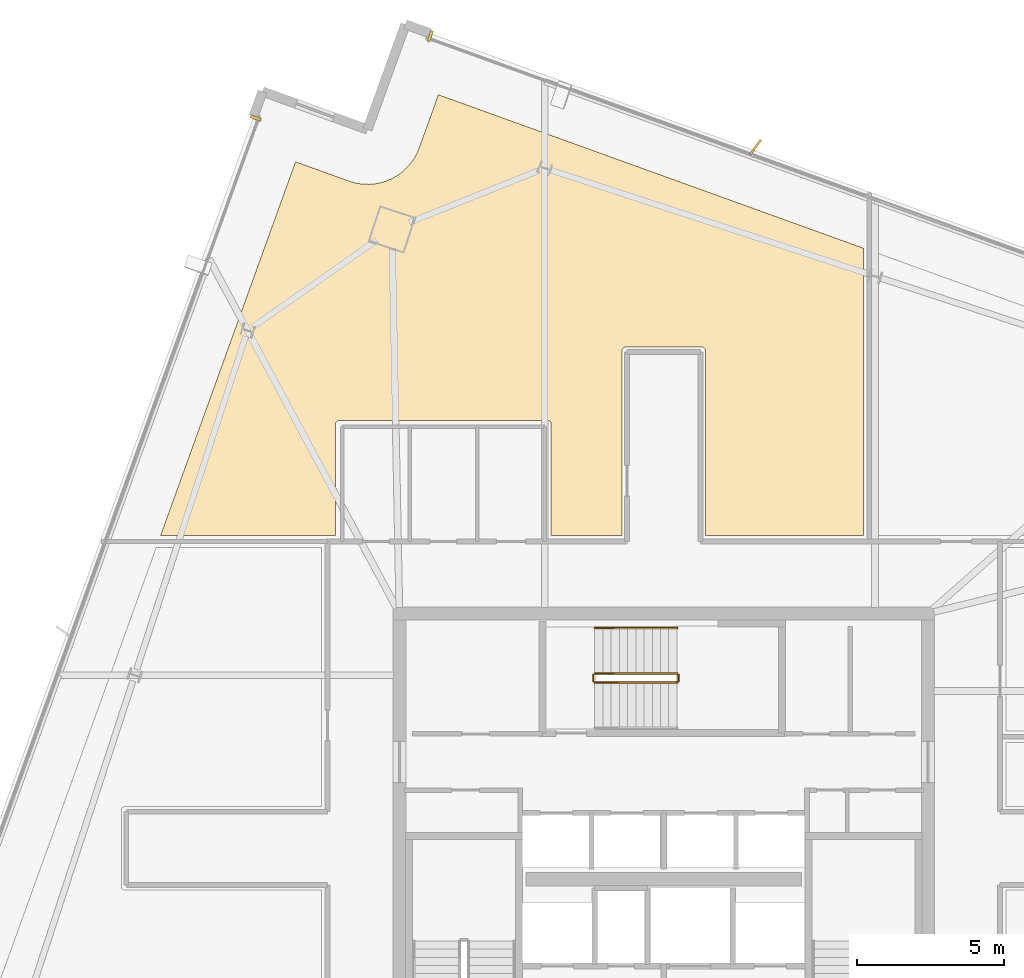
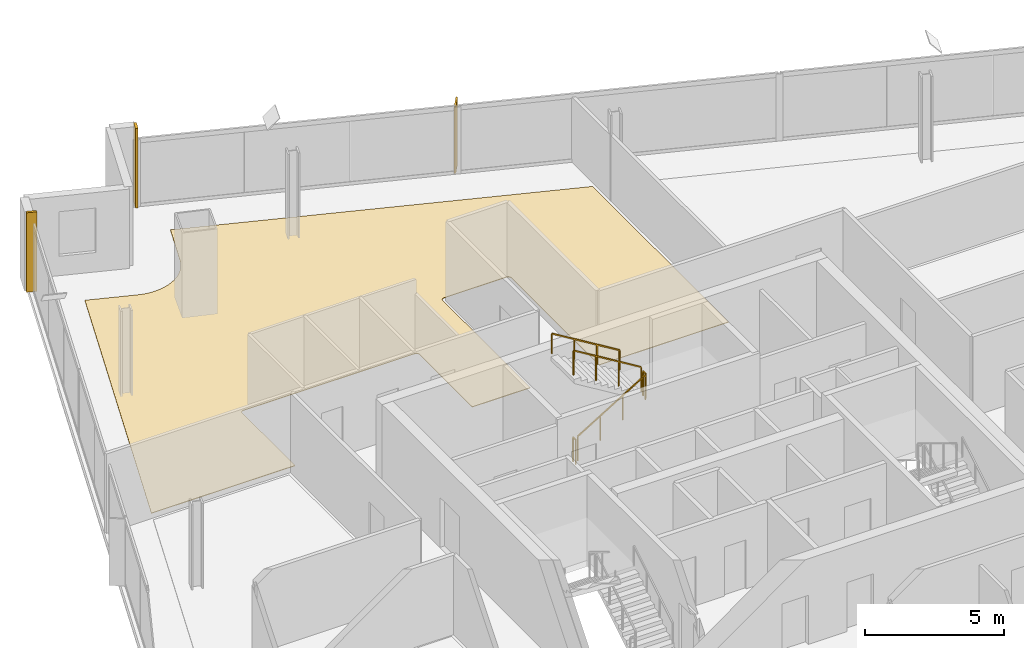
# One storey, part 26 of 27: 5 railings, 3 coverings, 1 shading device.
"""IFC4 building model written with IfcOpenShell, lengths in metres."""

from ifc_helpers import new_model, si_unit, direction, frame, origin, origin_2d, place, context, subcontext, project, spatial, polyline, rectangle, outline, extrude, source, transform, mapped, material, layer, layer_set, type_object, element, save


model = new_model("IFC4")

# Units and contexts
model_context = context("Model", 3, precision=1e-05, world=origin(), true_north=direction((0.0, 1.0)))
body_context = subcontext(model_context, "Body", "Model", "MODEL_VIEW")
ifc_project = project(units=[si_unit("LENGTHUNIT", "METRE"), si_unit("AREAUNIT", "SQUARE_METRE"), si_unit("VOLUMEUNIT", "CUBIC_METRE"), si_unit("PLANEANGLEUNIT", "RADIAN"), si_unit("MASSUNIT", "GRAM", prefix="KILO")], contexts=[model_context])

# Site, building, storey
site_placement = place(None, origin())
site = spatial("IfcSite", under=ifc_project, at=site_placement, CompositionType="ELEMENT")
building_placement = place(site_placement, origin())
building = spatial("IfcBuilding", under=site, at=building_placement, Name="Haldenkirk Collegiate Tower", CompositionType="ELEMENT")
storey_placement = place(building_placement, frame((0.0, 0.0, 263.699951171875)))
storey = spatial("IfcBuildingStorey", under=building, at=storey_placement, Name="L66", CompositionType="ELEMENT", Elevation=263.699951171875)

# Covering
ifc_material_1 = material(Name="Polished collegiate terrazzo", Category="concrete")
ifc_layer_1 = layer(ifc_material_1, 0.02490234375)
ifc_layer_set_1 = layer_set([ifc_layer_1], Name="Polished collegiate terrazzo")
covering_type_1 = type_object("IfcCoveringType", Name="COV-FLOOR-TERRAZZO", PredefinedType="FLOORING", material=ifc_layer_set_1)
covering_placement = place(storey_placement, origin())
element("IfcCovering", 1, at=covering_placement, inside=storey, type_object=covering_type_1, Name="L66 academic room finish 06", PredefinedType="FLOORING", context=body_context, shape_type="SweptSolid", body=[
    extrude(outline(polyline([(25.278076171875, 48.720703125), (25.28369140625, 48.718994140625), (25.44775390625, 48.668701171875), (25.458984375, 48.665771484375), (25.62744140625, 48.631591796875), (25.63916015625, 48.6298828125), (25.81005859375, 48.612548828125), (25.82177734375, 48.612060546875), (25.993408203125, 48.611572265625), (26.005126953125, 48.612060546875), (26.17626953125, 48.62841796875), (26.18798828125, 48.6298828125), (26.3564453125, 48.6630859375), (26.367919921875, 48.666015625), (26.5322265625, 48.71533203125), (26.54345703125, 48.71923828125), (26.7021484375, 48.784423828125), (26.712890625, 48.78955078125), (26.864501953125, 48.8701171875), (26.874755859375, 48.8759765625), (27.017822265625, 48.970947265625), (27.02734375, 48.97802734375), (27.160400390625, 49.086669921875), (27.1689453125, 49.094482421875), (27.290771484375, 49.215576171875), (27.298583984375, 49.224365234375), (27.407958984375, 49.356689453125), (27.4150390625, 49.3662109375), (27.510986328125, 49.508544921875), (27.51708984375, 49.518798828125), (27.598388671875, 49.670166015625), (27.603515625, 49.6806640625), (27.669677734375, 49.839111328125), (27.671875, 49.844482421875), (28.3271484375, 51.659912109375), (42.800048828125, 46.43505859375), (42.800048828125, 36.64990234375), (37.419921875, 36.64990234375), (37.419921875, 42.949951171875), (37.41943359375, 42.9619140625), (37.417724609375, 42.973388671875), (37.414794921875, 42.98486328125), (37.410888671875, 42.995849609375), (37.40576171875, 43.006591796875), (37.39990234375, 43.0166015625), (37.392822265625, 43.026123046875), (37.385009765625, 43.034912109375), (37.376220703125, 43.042724609375), (37.36669921875, 43.0498046875), (37.356689453125, 43.055908203125), (37.345947265625, 43.060791015625), (37.334716796875, 43.064697265625), (37.323486328125, 43.067626953125), (37.311767578125, 43.0693359375), (37.300048828125, 43.070068359375), (34.699951171875, 43.070068359375), (34.688232421875, 43.0693359375), (34.676513671875, 43.067626953125), (34.665283203125, 43.064697265625), (34.654052734375, 43.060791015625), (34.643310546875, 43.055908203125), (34.63330078125, 43.0498046875), (34.623779296875, 43.042724609375), (34.614990234375, 43.034912109375), (34.607177734375, 43.026123046875), (34.60009765625, 43.0166015625), (34.59423828125, 43.006591796875), (34.589111328125, 42.995849609375), (34.585205078125, 42.98486328125), (34.582275390625, 42.973388671875), (34.58056640625, 42.9619140625), (34.580078125, 42.949951171875), (34.580078125, 36.64990234375), (32.169921875, 36.64990234375), (32.169921875, 40.449951171875), (32.16943359375, 40.4619140625), (32.167724609375, 40.473388671875), (32.164794921875, 40.48486328125), (32.160888671875, 40.495849609375), (32.15576171875, 40.506591796875), (32.14990234375, 40.5166015625), (32.142822265625, 40.526123046875), (32.135009765625, 40.534912109375), (32.126220703125, 40.542724609375), (32.11669921875, 40.5498046875), (32.106689453125, 40.555908203125), (32.095947265625, 40.560791015625), (32.084716796875, 40.564697265625), (32.073486328125, 40.567626953125), (32.061767578125, 40.5693359375), (32.050048828125, 40.570068359375), (24.949951171875, 40.570068359375), (24.938232421875, 40.5693359375), (24.926513671875, 40.567626953125), (24.915283203125, 40.564697265625), (24.904052734375, 40.560791015625), (24.893310546875, 40.555908203125), (24.88330078125, 40.5498046875), (24.873779296875, 40.542724609375), (24.864990234375, 40.534912109375), (24.857177734375, 40.526123046875), (24.85009765625, 40.5166015625), (24.84423828125, 40.506591796875), (24.839111328125, 40.495849609375), (24.835205078125, 40.48486328125), (24.832275390625, 40.473388671875), (24.83056640625, 40.4619140625), (24.830078125, 40.449951171875), (24.830078125, 36.64990234375), (18.868408203125, 36.64990234375), (23.462646484375, 49.376220703125), (25.278076171875, 48.720703125)])), origin(), (0.0, 0.0, 1.0), 0.025146484375),
])

# Railings
ifc_material_2 = material(Name="Painted architectural tubular steel", Category="steel")
railing_type_1 = type_object("IfcRailingType", Name="RLG-STAIR-GUARD-1100", PredefinedType="BALUSTRADE", material=ifc_material_2)
railing_1_placement = place(storey_placement, frame((33.64990234375, 31.64990234375, 0.17041015625)))
element("IfcRailing", 2, at=railing_1_placement, inside=storey, type_object=railing_type_1, Name="L66 ST-3 stair guard 1", PredefinedType="BALUSTRADE", context=body_context, shape_type="SweptSolid", body=[
    extrude(rectangle(XDim=0.048095703125, YDim=0.048095703125, at=origin_2d()), frame((0.0, 0.0, 1.076171875), z_axis=(0.854169791009, 0.0, 0.51999420009), x_axis=(0.0, 1.0, 0.0)), (0.0, 0.0, 1.0), 3.278076171875),
    extrude(rectangle(XDim=0.0419921875, YDim=0.0419921875, at=origin_2d()), origin(), (0.0, 0.0, 1.0), 1.052001953125),
    extrude(rectangle(XDim=0.0419921875, YDim=0.0419921875, at=origin_2d()), frame((0.933349609375, 0.0, 0.568115234375)), (0.0, 0.0, 1.0), 1.052001953125),
    extrude(rectangle(XDim=0.0419921875, YDim=0.0419921875, at=origin_2d()), frame((1.86669921875, 0.0, 1.136474609375)), (0.0, 0.0, 1.0), 1.052001953125),
    extrude(rectangle(XDim=0.0419921875, YDim=0.0419921875, at=origin_2d()), frame((2.800048828125, 0.0, 1.70458984375)), (0.0, 0.0, 1.0), 1.052001953125),
])
railing_2_placement = place(storey_placement, frame((36.5, 31.699951171875, 1.875)))
element("IfcRailing", 3, at=railing_2_placement, inside=storey, type_object=railing_type_1, Name="L66 ST-3 stair guard 2", PredefinedType="BALUSTRADE", context=body_context, shape_type="SweptSolid", body=[
    extrude(rectangle(XDim=0.048095703125, YDim=0.048095703125, at=origin_2d()), frame((0.0, 0.0, 1.076171875), z_axis=(0.0, 1.0, 0.0), x_axis=(-1.0, 0.0, 0.0)), (0.0, 0.0, 1.0), 0.199951171875),
    extrude(rectangle(XDim=0.0419921875, YDim=0.0419921875, at=origin_2d()), origin(), (0.0, 0.0, 1.0), 1.052001953125),
    extrude(rectangle(XDim=0.0419921875, YDim=0.0419921875, at=origin_2d()), frame((0.0, 0.199951171875, 0.0)), (0.0, 0.0, 1.0), 1.052001953125),
])
railing_3_placement = place(storey_placement, frame((36.449951171875, 31.949951171875, 2.04541015625)))
element("IfcRailing", 4, at=railing_3_placement, inside=storey, type_object=railing_type_1, Name="L66 ST-3 stair guard 3", PredefinedType="BALUSTRADE", context=body_context, shape_type="SweptSolid", body=[
    extrude(rectangle(XDim=0.048095703125, YDim=0.048095703125, at=origin_2d()), frame((0.0, 0.0, 1.076171875), z_axis=(-0.854169791009, 0.0, 0.51999420009), x_axis=(0.0, -1.0, 0.0)), (0.0, 0.0, 1.0), 3.278076171875),
    extrude(rectangle(XDim=0.0419921875, YDim=0.0419921875, at=origin_2d()), origin(), (0.0, 0.0, 1.0), 1.052001953125),
    extrude(rectangle(XDim=0.0419921875, YDim=0.0419921875, at=origin_2d()), frame((-0.933349609375, 0.0, 0.568115234375)), (0.0, 0.0, 1.0), 1.052001953125),
    extrude(rectangle(XDim=0.0419921875, YDim=0.0419921875, at=origin_2d()), frame((-1.86669921875, 0.0, 1.136474609375)), (0.0, 0.0, 1.0), 1.052001953125),
    extrude(rectangle(XDim=0.0419921875, YDim=0.0419921875, at=origin_2d()), frame((-2.800048828125, 0.0, 1.70458984375)), (0.0, 0.0, 1.0), 1.052001953125),
])
railing_4_placement = place(storey_placement, frame((33.60009765625, 31.699951171875, 0.0)))
element("IfcRailing", 5, at=railing_4_placement, inside=storey, type_object=railing_type_1, Name="L66 ST-3 stair guard 4", PredefinedType="BALUSTRADE", context=body_context, shape_type="SweptSolid", body=[
    extrude(rectangle(XDim=0.048095703125, YDim=0.048095703125, at=origin_2d()), frame((0.0, 0.0, 1.076171875), z_axis=(0.0, 1.0, 0.0), x_axis=(-1.0, 0.0, 0.0)), (0.0, 0.0, 1.0), 0.199951171875),
    extrude(rectangle(XDim=0.0419921875, YDim=0.0419921875, at=origin_2d()), origin(), (0.0, 0.0, 1.0), 1.052001953125),
    extrude(rectangle(XDim=0.0419921875, YDim=0.0419921875, at=origin_2d()), frame((0.0, 0.199951171875, 0.0)), (0.0, 0.0, 1.0), 1.052001953125),
])
railing_type_2 = type_object("IfcRailingType", Name="RLG-STAIR-HANDRAIL-900", PredefinedType="HANDRAIL", material=ifc_material_2)
railing_5_placement = place(storey_placement, frame((36.449951171875, 33.5, 2.04541015625)))
element("IfcRailing", 6, at=railing_5_placement, inside=storey, type_object=railing_type_2, Name="L66 ST-3 stair handrail 2", PredefinedType="HANDRAIL", context=body_context, shape_type="SweptSolid", body=[
    extrude(rectangle(XDim=0.048095703125, YDim=0.048095703125, at=origin_2d()), frame((0.0, 0.0, 0.8759765625), z_axis=(-0.854169791009, 0.0, 0.51999420009), x_axis=(0.0, -1.0, 0.0)), (0.0, 0.0, 1.0), 3.278076171875),
    extrude(rectangle(XDim=0.0419921875, YDim=0.0419921875, at=origin_2d()), origin(), (0.0, 0.0, 1.0), 0.851806640625),
    extrude(rectangle(XDim=0.0419921875, YDim=0.0419921875, at=origin_2d()), frame((-0.933349609375, 0.0, 0.568115234375)), (0.0, 0.0, 1.0), 0.851806640625),
    extrude(rectangle(XDim=0.0419921875, YDim=0.0419921875, at=origin_2d()), frame((-1.86669921875, 0.0, 1.136474609375)), (0.0, 0.0, 1.0), 0.851806640625),
    extrude(rectangle(XDim=0.0419921875, YDim=0.0419921875, at=origin_2d()), frame((-2.800048828125, 0.0, 1.70458984375)), (0.0, 0.0, 1.0), 0.851806640625),
])

# Coverings
ifc_material_3 = material(Name="Anodised architectural bronze aluminium", Category="aluminium")
ifc_layer_2 = layer(ifc_material_3, 0.06005859375)
ifc_layer_set_2 = layer_set([ifc_layer_2], Name="Anodised architectural bronze aluminium")
covering_type_2 = type_object("IfcCoveringType", Name="COV-CLAD-BRONZE-60", PredefinedType="CLADDING", material=ifc_layer_set_2)
shared_shape_1 = source(origin(), body_context, "Body", "SweptSolid", [
    extrude(rectangle(XDim=0.10009765625, YDim=0.3798828125, at=origin_2d()), origin(), (0.0, 0.0, 1.0), 3.47998046875),
])
for number, where, z_axis, x_axis, name in (
    (7, (28.047607421875, 53.6533203125, 0.0), (0.0, 0.0, 1.0), (0.94058480613, -0.339558864524, 0.0), "L66 recessed curtain-wall bronze jamb closure EJL"),
    (8, (22.107666015625, 50.864501953125, 0.0), (0.0, 0.0, 1.0), (0.339558864524, 0.94058480613, 0.0), "L66 recessed curtain-wall bronze jamb closure NJR"),
):
    element("IfcCovering", number, at=place(storey_placement, frame(where, z_axis=z_axis, x_axis=x_axis)), inside=storey, type_object=covering_type_2, Name=name, PredefinedType="CLADDING", context=body_context, shape_type="MappedRepresentation", body=[
        mapped(shared_shape_1, transform((0.0, 0.0, 0.0), x_axis=(1.0, 0.0, 0.0), y_axis=(0.0, 1.0, 0.0), z_axis=(0.0, 0.0, 1.0), scale=1.0)),
    ])

# Shading device
ifc_layer_3 = layer(ifc_material_3, 0.06494140625)
ifc_layer_set_3 = layer_set([ifc_layer_3], Name="Anodised architectural bronze aluminium")
shading_device_type = type_object("IfcShadingDeviceType", Name="SHD-FIN-BRONZE-620", PredefinedType="USERDEFINED", material=ifc_layer_set_3)
shared_shape_2 = source(origin(), body_context, "Body", "SweptSolid", [
    extrude(rectangle(XDim=0.6201171875, YDim=0.06494140625, at=origin_2d()), origin(), (0.0, 0.0, 1.0), 2.93798828125),
])
shading_device_placement = place(storey_placement, frame((39.125, 49.872314453125, 0.0), z_axis=(0.0, 0.0, 1.0), x_axis=(0.585665238866, 0.810553038353, 0.0)))
element("IfcShadingDevice", 9, at=shading_device_placement, inside=storey, type_object=shading_device_type, Name="L66 folded bronze solar fin 1", ObjectType="FIN", PredefinedType="USERDEFINED", context=body_context, shape_type="MappedRepresentation", body=[
    mapped(shared_shape_2, transform((0.0, 0.0, 0.0), x_axis=(1.0, 0.0, 0.0), y_axis=(0.0, 1.0, 0.0), z_axis=(0.0, 0.0, 1.0), scale=1.0)),
])

save(model, "model.ifc")
